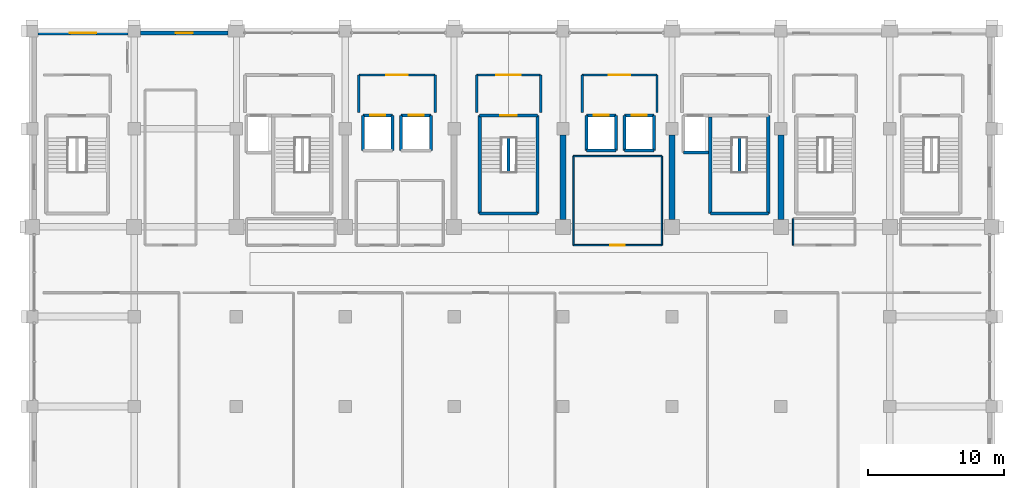
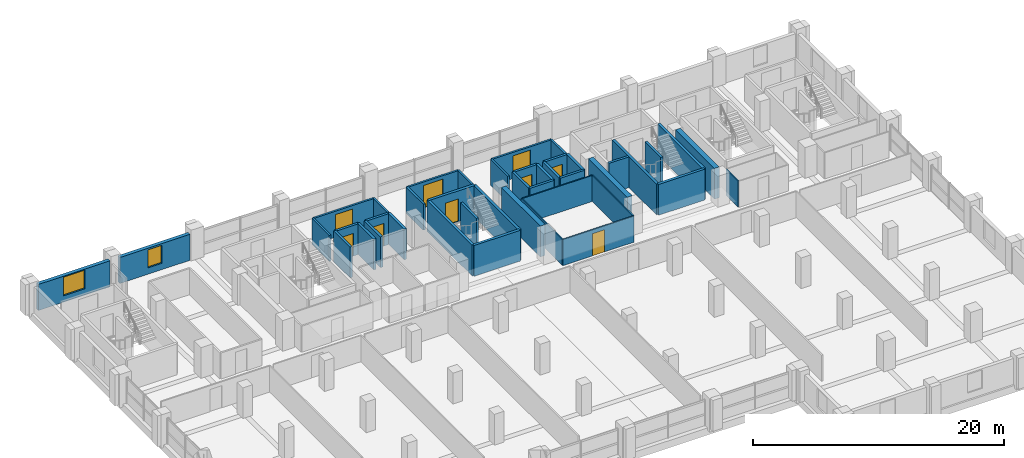
# One storey, part 18 of 21: 43 walls, 9 doors, 2 windows, 11 openings.
"""IFC4 building model written with IfcOpenShell, lengths in metres."""

from ifc_helpers import new_model, si_unit, direction, frame, frame_2d, origin, place, context, subcontext, project, spatial, rectangle, extrude, material, layer, layer_set, type_object, element, fill, save


model = new_model("IFC4")

# Units and contexts
model_context = context("Model", 3, precision=1e-05, world=origin(), true_north=direction((0.0, 1.0)))
body_context = subcontext(model_context, "Body", "Model", "MODEL_VIEW")
ifc_project = project(units=[si_unit("LENGTHUNIT", "METRE"), si_unit("AREAUNIT", "SQUARE_METRE"), si_unit("VOLUMEUNIT", "CUBIC_METRE"), si_unit("PLANEANGLEUNIT", "RADIAN"), si_unit("MASSUNIT", "GRAM", prefix="KILO")], contexts=[model_context])

# Site, building, storey
site_placement = place(None, origin())
site = spatial("IfcSite", under=ifc_project, at=site_placement, CompositionType="ELEMENT")
building_placement = place(site_placement, origin())
building = spatial("IfcBuilding", under=site, at=building_placement, Name="Akrevak Sports Hall", CompositionType="ELEMENT")
storey_placement = place(building_placement, frame((0.0, 0.0, 27.550048828125)))
storey = spatial("IfcBuildingStorey", under=building, at=storey_placement, Name="L05", CompositionType="ELEMENT", Elevation=27.550048828125)

# Wall, opening, window
ifc_material_1 = material(Name="Limestone Ashlar", Category="stone")
ifc_layer_1 = layer(ifc_material_1, 0.070068359375, Name="Limestone Ashlar")
ifc_material_2 = material(Name="Mineral Wool Thermal Insulation", Category="insulation")
ifc_layer_2 = layer(ifc_material_2, 0.090087890625, Name="Mineral Wool Thermal Insulation")
ifc_material_3 = material(Name="Concrete C40/50", Category="concrete")
ifc_layer_3 = layer(ifc_material_3, 0.159912109375, Name="Concrete C40/50")
ifc_layer_set_1 = layer_set([ifc_layer_1, ifc_layer_2, ifc_layer_3], Name="Limestone Ashlar / Mineral Wool Thermal Insulation / Concrete C40/50")
wall_type_1 = type_object("IfcWallType", Name="ARC-WL-EXT-320", PredefinedType="SOLIDWALL", material=ifc_layer_set_1)
wall_1_placement = place(storey_placement, frame((59.39990234375, 69.43994140625, 0.0), z_axis=(0.0, 0.0, 1.0), x_axis=(-1.0, 0.0, 0.0)))
wall_1 = element("IfcWall", 1, at=wall_1_placement, inside=storey, type_object=wall_type_1, Name="Tower Stone Facade Wall L05-N26", PredefinedType="SOLIDWALL", context=body_context, shape_type="SweptSolid", body=[
    extrude(rectangle(XDim=6.449951171875, YDim=0.320068359375, at=frame_2d((3.22509765625, 0.0))), origin(), (0.0, 0.0, 1.0), 2.530029296875),
])
opening_1_placement = place(wall_1_placement, frame((2.60009765625, 0.0, 0.6201171875)))
opening_1 = element("IfcOpeningElement", 2, at=opening_1_placement, cuts=wall_1, Name="Opening WN-20", PredefinedType="OPENING", context=body_context, shape_type="SweptSolid", body=[
    extrude(rectangle(XDim=1.25, YDim=1.75, at=frame_2d((0.625, 0.875))), frame((0.0, 0.171875, 0.0), z_axis=(0.0, -1.0, 0.0), x_axis=(1.0, 0.0, 0.0)), (0.0, 0.0, 1.0), 0.343994140625),
])
ifc_material_4 = material(Name="Thermally Broken Bronze Frame & Double Low-E Glass", Category="glass")
window_type_1 = type_object("IfcWindowType", Name="ARC-WIN-TW-125x175", PartitioningType="SINGLE_PANEL", PredefinedType="WINDOW", material=ifc_material_4)
window_1_placement = place(opening_1_placement, origin())
window_1 = element("IfcWindow", 3, at=window_1_placement, inside=storey, type_object=window_type_1, Name="Tower Window L05-N26", OverallHeight=1.75, OverallWidth=1.25, PartitioningType="SINGLE_PANEL", PredefinedType="WINDOW", context=body_context, shape_type="SweptSolid", body=[
    extrude(rectangle(XDim=1.25, YDim=1.75, at=frame_2d((0.625, 0.875))), frame((0.0, 0.030029296875, 0.0), z_axis=(0.0, -1.0, 0.0), x_axis=(1.0, 0.0, 0.0)), (0.0, 0.0, 1.0), 0.06005859375),
])
fill(opening_1, window_1)

wall_2_placement = place(storey_placement, frame((52.050048828125, 69.43994140625, 0.0), z_axis=(0.0, 0.0, 1.0), x_axis=(-1.0, 0.0, 0.0)))
wall_2 = element("IfcWall", 4, at=wall_2_placement, inside=storey, type_object=wall_type_1, Name="Tower Stone Facade Wall L05-N27", PredefinedType="SOLIDWALL", context=body_context, shape_type="SweptSolid", body=[
    extrude(rectangle(XDim=6.60009765625, YDim=0.320068359375, at=frame_2d((3.300048828125, 0.0))), origin(), (0.0, 0.0, 1.0), 2.530029296875),
])
opening_2_placement = place(wall_2_placement, frame((2.324951171875, 0.0, 0.6201171875)))
opening_2 = element("IfcOpeningElement", 5, at=opening_2_placement, cuts=wall_2, Name="Opening WN-52", PredefinedType="OPENING", context=body_context, shape_type="SweptSolid", body=[
    extrude(rectangle(XDim=1.949951171875, YDim=1.81005859375, at=frame_2d((0.97509765625, 0.905029296875))), frame((0.0, 0.171875, 0.0), z_axis=(0.0, -1.0, 0.0), x_axis=(1.0, 0.0, 0.0)), (0.0, 0.0, 1.0), 0.343994140625),
])
window_type_2 = type_object("IfcWindowType", Name="ARC-WIN-SZ-1950x1810", PartitioningType="SINGLE_PANEL", PredefinedType="WINDOW", material=ifc_material_4)
window_2_placement = place(opening_2_placement, origin())
window_2 = element("IfcWindow", 6, at=window_2_placement, inside=storey, type_object=window_type_2, Name="Tower Window L05-N27", OverallHeight=1.81005859375, OverallWidth=1.949951171875, PartitioningType="SINGLE_PANEL", PredefinedType="WINDOW", context=body_context, shape_type="SweptSolid", body=[
    extrude(rectangle(XDim=1.949951171875, YDim=1.81005859375, at=frame_2d((0.97509765625, 0.905029296875))), frame((0.0, 0.030029296875, 0.0), z_axis=(0.0, -1.0, 0.0), x_axis=(1.0, 0.0, 0.0)), (0.0, 0.0, 1.0), 0.06005859375),
])
fill(opening_2, window_2)

# Wall
ifc_material_5 = material(Name="Sanitary Cubicle Partition", Category="gypsum")
ifc_layer_4 = layer(ifc_material_5, 0.10009765625, Name="Sanitary Cubicle Partition")
ifc_layer_set_2 = layer_set([ifc_layer_4], Name="Sanitary Cubicle Partition")
wall_type_2 = type_object("IfcWallType", Name="ARC-WL-PRT-100", PredefinedType="PARTITIONING", material=ifc_layer_set_2)
wall_3_placement = place(storey_placement, frame((100.89990234375, 53.85009765625, 0.0), z_axis=(0.0, 0.0, 1.0), x_axis=(0.0, 1.0, 0.0)))
element("IfcWall", 7, at=wall_3_placement, inside=storey, type_object=wall_type_2, Name="Interior Partition Federation Research Office L05-E1 (W)", PredefinedType="PARTITIONING", context=body_context, shape_type="SweptSolid", body=[
    extrude(rectangle(XDim=1.949951171875, YDim=0.10009765625, at=frame_2d((0.97509765625, 0.0))), origin(), (0.0, 0.0, 1.0), 2.530029296875),
])

# Wall, opening, door
ifc_material_6 = material(Name="Lightweight Office Partition", Category="gypsum")
ifc_layer_5 = layer(ifc_material_6, 0.110107421875, Name="Lightweight Office Partition")
ifc_layer_set_3 = layer_set([ifc_layer_5], Name="Lightweight Office Partition")
wall_type_3 = type_object("IfcWallType", Name="ARC-WL-PRT-110", PredefinedType="PARTITIONING", material=ifc_layer_set_3)
wall_4_placement = place(storey_placement, frame((84.75, 53.85009765625, 0.0), z_axis=(0.0, 0.0, 1.0), x_axis=(1.0, 0.0, 0.0)))
wall_4 = element("IfcWall", 8, at=wall_4_placement, inside=storey, type_object=wall_type_3, Name="Interior Partition Sports Officiating Office L05-C1 (S)", PredefinedType="PARTITIONING", context=body_context, shape_type="SweptSolid", body=[
    extrude(rectangle(XDim=6.5, YDim=0.110107421875, at=frame_2d((3.25, 0.0))), origin(), (0.0, 0.0, 1.0), 2.530029296875),
])
opening_3_placement = place(wall_4_placement, frame((2.699951171875, 0.0, 0.0)))
opening_3 = element("IfcOpeningElement", 9, at=opening_3_placement, cuts=wall_4, Name="Opening ID-04", PredefinedType="OPENING", context=body_context, shape_type="SweptSolid", body=[
    extrude(rectangle(XDim=1.10009765625, YDim=2.14990234375, at=frame_2d((0.550048828125, 1.074951171875))), frame((0.0, 0.06689453125, 0.0), z_axis=(0.0, -1.0, 0.0), x_axis=(1.0, 0.0, 0.0)), (0.0, 0.0, 1.0), 0.134033203125),
])
ifc_material_7 = material(Name="Hardwood Oak Acoustic Leaf", Category="wood")
door_type_1 = type_object("IfcDoorType", Name="ARC-DR-OFF-110x215", OperationType="NOTDEFINED", PredefinedType="DOOR", material=ifc_material_7)
door_1_placement = place(opening_3_placement, origin())
door_1 = element("IfcDoor", 10, at=door_1_placement, inside=storey, type_object=door_type_1, Name="Door to Sports Officiating Office L05-C1", OperationType="SINGLE_SWING_LEFT", OverallHeight=2.14990234375, OverallWidth=1.10009765625, PredefinedType="DOOR", context=body_context, shape_type="SweptSolid", body=[
    extrude(rectangle(XDim=1.10009765625, YDim=2.14990234375, at=frame_2d((0.550048828125, 1.074951171875))), frame((0.0, 0.02490234375, 0.0), z_axis=(0.0, -1.0, 0.0), x_axis=(1.0, 0.0, 0.0)), (0.0, 0.0, 1.0), 0.050048828125),
])
fill(opening_3, door_1)

# Walls
wall_5_placement = place(storey_placement, frame((84.75, 60.39990234375, 0.0), z_axis=(0.0, 0.0, 1.0), x_axis=(1.0, 0.0, 0.0)))
element("IfcWall", 11, at=wall_5_placement, inside=storey, type_object=wall_type_3, Name="Interior Partition Sports Officiating Office L05-C1 (N)", PredefinedType="PARTITIONING", context=body_context, shape_type="SweptSolid", body=[
    extrude(rectangle(XDim=6.5, YDim=0.110107421875, at=frame_2d((3.25, 0.0))), origin(), (0.0, 0.0, 1.0), 2.530029296875),
])
for number, where, z_axis, x_axis, name in (
    (12, (84.75, 53.85009765625, 0.0), (0.0, 0.0, 1.0), (0.0, 1.0, 0.0), "Interior Partition Sports Officiating Office L05-C1 (W)"),
    (13, (91.25, 53.85009765625, 0.0), (0.0, 0.0, 1.0), (0.0, 1.0, 0.0), "Interior Partition Sports Officiating Office L05-C1 (E)"),
):
    element("IfcWall", number, at=place(storey_placement, frame(where, z_axis=z_axis, x_axis=x_axis)), inside=storey, type_object=wall_type_3, Name=name, PredefinedType="PARTITIONING", context=body_context, shape_type="SweptSolid", body=[
        extrude(rectangle(XDim=6.5498046875, YDim=0.110107421875, at=frame_2d((3.27490234375, 0.0))), origin(), (0.0, 0.0, 1.0), 2.530029296875),
    ])

# Wall, opening, door
ifc_material_8 = material(Name="Autoclaved Aerated Masonry Block", Category="masonry")
ifc_layer_6 = layer(ifc_material_8, 0.179931640625, Name="Autoclaved Aerated Masonry Block")
ifc_layer_set_4 = layer_set([ifc_layer_6], Name="Autoclaved Aerated Masonry Block")
wall_type_4 = type_object("IfcWallType", Name="ARC-WL-PRT-180", PredefinedType="PARTITIONING", material=ifc_layer_set_4)
wall_6_placement = place(storey_placement, frame((69.0, 66.35009765625, 0.0), z_axis=(0.0, 0.0, 1.0), x_axis=(1.0, 0.0, 0.0)))
wall_6 = element("IfcWall", 14, at=wall_6_placement, inside=storey, type_object=wall_type_4, Name="Interior Partition West Passenger Lift Lobby L05 (N)", PredefinedType="PARTITIONING", context=body_context, shape_type="SweptSolid", body=[
    extrude(rectangle(XDim=5.60009765625, YDim=0.179931640625, at=frame_2d((2.800048828125, 0.0))), origin(), (0.0, 0.0, 1.0), 2.530029296875),
])
opening_4_placement = place(wall_6_placement, frame((2.0, 0.0, 0.0)))
opening_4 = element("IfcOpeningElement", 15, at=opening_4_placement, cuts=wall_6, Name="Opening ID-03", PredefinedType="OPENING", context=body_context, shape_type="SweptSolid", body=[
    extrude(rectangle(XDim=1.60009765625, YDim=2.199951171875, at=frame_2d((0.800048828125, 1.10009765625))), frame((0.0, 0.10205078125, 0.0), z_axis=(0.0, -1.0, 0.0), x_axis=(1.0, 0.0, 0.0)), (0.0, 0.0, 1.0), 0.203857421875),
])
ifc_material_9 = material(Name="Hardwood Oak & Safety Glass", Category="wood")
door_type_2 = type_object("IfcDoorType", Name="ARC-DR-HALL-160x220", OperationType="DOUBLE_DOOR_SINGLE_SWING", PredefinedType="DOOR", material=ifc_material_9)
door_2_placement = place(opening_4_placement, origin())
door_2 = element("IfcDoor", 16, at=door_2_placement, inside=storey, type_object=door_type_2, Name="Door to West Passenger Lift Lobby L05", OperationType="DOUBLE_DOOR_SINGLE_SWING", OverallHeight=2.199951171875, OverallWidth=1.60009765625, PredefinedType="DOOR", context=body_context, shape_type="SweptSolid", body=[
    extrude(rectangle(XDim=1.60009765625, YDim=2.199951171875, at=frame_2d((0.800048828125, 1.10009765625))), frame((0.0, 0.02490234375, 0.0), z_axis=(0.0, -1.0, 0.0), x_axis=(1.0, 0.0, 0.0)), (0.0, 0.0, 1.0), 0.050048828125),
])
fill(opening_4, door_2)

# Walls
for number, where, z_axis, x_axis, name in (
    (17, (69.0, 63.60009765625, 0.0), (0.0, 0.0, 1.0), (0.0, 1.0, 0.0), "Interior Partition West Passenger Lift Lobby L05 (W)"),
    (18, (74.60009765625, 63.60009765625, 0.0), (0.0, 0.0, 1.0), (0.0, 1.0, 0.0), "Interior Partition West Passenger Lift Lobby L05 (E)"),
):
    element("IfcWall", number, at=place(storey_placement, frame(where, z_axis=z_axis, x_axis=x_axis)), inside=storey, type_object=wall_type_4, Name=name, PredefinedType="PARTITIONING", context=body_context, shape_type="SweptSolid", body=[
        extrude(rectangle(XDim=2.75, YDim=0.179931640625, at=frame_2d((1.375, 0.0))), origin(), (0.0, 0.0, 1.0), 2.530029296875),
    ])

# Wall, opening, door
wall_7_placement = place(storey_placement, frame((85.39990234375, 66.35009765625, 0.0), z_axis=(0.0, 0.0, 1.0), x_axis=(1.0, 0.0, 0.0)))
wall_7 = element("IfcWall", 19, at=wall_7_placement, inside=storey, type_object=wall_type_4, Name="Interior Partition East Passenger Lift Lobby L05 (N)", PredefinedType="PARTITIONING", context=body_context, shape_type="SweptSolid", body=[
    extrude(rectangle(XDim=5.5, YDim=0.179931640625, at=frame_2d((2.75, 0.0))), origin(), (0.0, 0.0, 1.0), 2.530029296875),
])
opening_5_placement = place(wall_7_placement, frame((1.949951171875, 0.0, 0.0)))
opening_5 = element("IfcOpeningElement", 20, at=opening_5_placement, cuts=wall_7, Name="Opening ID-03", PredefinedType="OPENING", context=body_context, shape_type="SweptSolid", body=[
    extrude(rectangle(XDim=1.60009765625, YDim=2.199951171875, at=frame_2d((0.800048828125, 1.10009765625))), frame((0.0, 0.10205078125, 0.0), z_axis=(0.0, -1.0, 0.0), x_axis=(1.0, 0.0, 0.0)), (0.0, 0.0, 1.0), 0.203857421875),
])
door_3_placement = place(opening_5_placement, origin())
door_3 = element("IfcDoor", 21, at=door_3_placement, inside=storey, type_object=door_type_2, Name="Door to East Passenger Lift Lobby L05", OperationType="DOUBLE_DOOR_SINGLE_SWING", OverallHeight=2.199951171875, OverallWidth=1.60009765625, PredefinedType="DOOR", context=body_context, shape_type="SweptSolid", body=[
    extrude(rectangle(XDim=1.60009765625, YDim=2.199951171875, at=frame_2d((0.800048828125, 1.10009765625))), frame((0.0, 0.02490234375, 0.0), z_axis=(0.0, -1.0, 0.0), x_axis=(1.0, 0.0, 0.0)), (0.0, 0.0, 1.0), 0.050048828125),
])
fill(opening_5, door_3)

# Walls
for number, where, z_axis, x_axis, name in (
    (22, (85.39990234375, 63.60009765625, 0.0), (0.0, 0.0, 1.0), (0.0, 1.0, 0.0), "Interior Partition East Passenger Lift Lobby L05 (W)"),
    (23, (90.89990234375, 63.60009765625, 0.0), (0.0, 0.0, 1.0), (0.0, 1.0, 0.0), "Interior Partition East Passenger Lift Lobby L05 (E)"),
):
    element("IfcWall", number, at=place(storey_placement, frame(where, z_axis=z_axis, x_axis=x_axis)), inside=storey, type_object=wall_type_4, Name=name, PredefinedType="PARTITIONING", context=body_context, shape_type="SweptSolid", body=[
        extrude(rectangle(XDim=2.75, YDim=0.179931640625, at=frame_2d((1.375, 0.0))), origin(), (0.0, 0.0, 1.0), 2.530029296875),
    ])

# Wall, opening, door
wall_8_placement = place(storey_placement, frame((77.64990234375, 66.35009765625, 0.0), z_axis=(0.0, 0.0, 1.0), x_axis=(1.0, 0.0, 0.0)))
wall_8 = element("IfcWall", 24, at=wall_8_placement, inside=storey, type_object=wall_type_4, Name="Interior Partition Central Stair ST3 Vestibule L05 (N)", PredefinedType="PARTITIONING", context=body_context, shape_type="SweptSolid", body=[
    extrude(rectangle(XDim=4.7001953125, YDim=0.179931640625, at=frame_2d((2.35009765625, 0.0))), origin(), (0.0, 0.0, 1.0), 2.530029296875),
])
opening_6_placement = place(wall_8_placement, frame((1.449951171875, 0.0, 0.0)))
opening_6 = element("IfcOpeningElement", 25, at=opening_6_placement, cuts=wall_8, Name="Opening FD-02", PredefinedType="OPENING", context=body_context, shape_type="SweptSolid", body=[
    extrude(rectangle(XDim=1.800048828125, YDim=2.199951171875, at=frame_2d((0.89990234375, 1.10009765625))), frame((0.0, 0.10205078125, 0.0), z_axis=(0.0, -1.0, 0.0), x_axis=(1.0, 0.0, 0.0)), (0.0, 0.0, 1.0), 0.203857421875),
])
ifc_material_10 = material(Name="Fire-Rated Galvanized Door Steel", Category="steel")
door_type_3 = type_object("IfcDoorType", Name="ARC-DR-FIRE-180x220", OperationType="DOUBLE_DOOR_SINGLE_SWING", PredefinedType="DOOR", material=ifc_material_10)
door_4_placement = place(opening_6_placement, frame((1.800048828125, 0.0, 0.0), z_axis=(0.0, 0.0, 1.0), x_axis=(-1.0, 0.0, 0.0)))
door_4 = element("IfcDoor", 26, at=door_4_placement, inside=storey, type_object=door_type_3, Name="Door to Central Stair ST3 Vestibule L05", OperationType="DOUBLE_DOOR_SINGLE_SWING", OverallHeight=2.199951171875, OverallWidth=1.800048828125, PredefinedType="DOOR", context=body_context, shape_type="SweptSolid", body=[
    extrude(rectangle(XDim=1.800048828125, YDim=2.199951171875, at=frame_2d((0.89990234375, 1.10009765625))), frame((0.0, 0.02490234375, 0.0), z_axis=(0.0, -1.0, 0.0), x_axis=(1.0, 0.0, 0.0)), (0.0, 0.0, 1.0), 0.050048828125),
])
fill(opening_6, door_4)

# Walls
for number, where, z_axis, x_axis, name in (
    (27, (77.64990234375, 63.60009765625, 0.0), (0.0, 0.0, 1.0), (0.0, 1.0, 0.0), "Interior Partition Central Stair ST3 Vestibule L05 (W)"),
    (28, (82.35009765625, 63.60009765625, 0.0), (0.0, 0.0, 1.0), (0.0, 1.0, 0.0), "Interior Partition Central Stair ST3 Vestibule L05 (E)"),
):
    element("IfcWall", number, at=place(storey_placement, frame(where, z_axis=z_axis, x_axis=x_axis)), inside=storey, type_object=wall_type_4, Name=name, PredefinedType="PARTITIONING", context=body_context, shape_type="SweptSolid", body=[
        extrude(rectangle(XDim=2.75, YDim=0.179931640625, at=frame_2d((1.375, 0.0))), origin(), (0.0, 0.0, 1.0), 2.530029296875),
    ])
ifc_layer_7 = layer(ifc_material_3, 0.219970703125, Name="Concrete C40/50")
ifc_layer_set_5 = layer_set([ifc_layer_7], Name="Concrete C40/50")
wall_type_5 = type_object("IfcWallType", Name="ARC-WL-PRT-220", PredefinedType="PARTITIONING", material=ifc_layer_set_5)
for number, where, z_axis, x_axis, name in (
    (29, (96.949951171875, 59.215087890625, 0.0), (0.0, 0.0, 1.0), (0.0, 1.0, 0.0), "Stair ST2 Central Spine Wall (L05)"),
    (30, (80.0, 59.215087890625, 0.0), (0.0, 0.0, 1.0), (0.0, 1.0, 0.0), "Stair ST3 Central Spine Wall (L05)"),
):
    element("IfcWall", number, at=place(storey_placement, frame(where, z_axis=z_axis, x_axis=x_axis)), inside=storey, type_object=wall_type_5, Name=name, PredefinedType="PARTITIONING", context=body_context, shape_type="SweptSolid", body=[
        extrude(rectangle(XDim=2.52001953125, YDim=0.219970703125, at=frame_2d((1.260009765625, 0.0))), origin(), (0.0, 0.0, 1.0), 2.989990234375),
    ])
ifc_material_11 = material(Name="Concrete C50/60", Category="concrete")
ifc_layer_8 = layer(ifc_material_11, 0.219970703125, Name="Concrete C50/60")
ifc_layer_set_6 = layer_set([ifc_layer_8], Name="Concrete C50/60")
wall_type_6 = type_object("IfcWallType", Name="ARC-WL-SHAFT-220", PredefinedType="SHEAR", material=ifc_layer_set_6)
wall_9_placement = place(storey_placement, frame((92.860107421875, 60.659912109375, 0.0), z_axis=(0.0, 0.0, 1.0), x_axis=(1.0, 0.0, 0.0)))
element("IfcWall", 31, at=wall_9_placement, inside=storey, type_object=wall_type_6, Name="Lift Shaft LF-FF2 Wall S (L05)", PredefinedType="SHEAR", context=body_context, shape_type="SweptSolid", body=[
    extrude(rectangle(XDim=1.83984375, YDim=0.219970703125, at=frame_2d((0.919921875, 0.0))), origin(), (0.0, 0.0, 1.0), 2.989990234375),
])

# Wall, opening, door
wall_10_placement = place(storey_placement, frame((71.489990234375, 63.389892578125, 0.0), z_axis=(0.0, 0.0, 1.0), x_axis=(-1.0, 0.0, 0.0)))
wall_10 = element("IfcWall", 32, at=wall_10_placement, inside=storey, type_object=wall_type_6, Name="Lift Shaft LF-P1 Wall N (L05)", PredefinedType="SHEAR", context=body_context, shape_type="SweptSolid", body=[
    extrude(rectangle(XDim=2.179931640625, YDim=0.219970703125, at=frame_2d((1.08984375, 0.0))), origin(), (0.0, 0.0, 1.0), 2.989990234375),
])
opening_7_placement = place(wall_10_placement, frame((0.5400390625, 0.0, 0.0)))
opening_7 = element("IfcOpeningElement", 33, at=opening_7_placement, cuts=wall_10, Name="Opening LD-01", PredefinedType="OPENING", context=body_context, shape_type="SweptSolid", body=[
    extrude(rectangle(XDim=1.10009765625, YDim=2.199951171875, at=frame_2d((0.550048828125, 1.10009765625))), frame((0.0, 0.1220703125, 0.0), z_axis=(0.0, -1.0, 0.0), x_axis=(1.0, 0.0, 0.0)), (0.0, 0.0, 1.0), 0.243896484375),
])
ifc_material_12 = material(Name="Brushed Stainless Steel 304", Category="steel")
door_type_4 = type_object("IfcDoorType", Name="ARC-DR-LD-110x220", OperationType="SLIDING_TO_LEFT", PredefinedType="DOOR", material=ifc_material_12)
door_5_placement = place(opening_7_placement, origin())
door_5 = element("IfcDoor", 34, at=door_5_placement, inside=storey, type_object=door_type_4, Name="Lift LF-P1 Sliding Landing Door (L05)", OperationType="SLIDING_TO_RIGHT", OverallHeight=2.199951171875, OverallWidth=1.10009765625, PredefinedType="DOOR", context=body_context, shape_type="SweptSolid", body=[
    extrude(rectangle(XDim=1.10009765625, YDim=2.199951171875, at=frame_2d((0.550048828125, 1.10009765625))), frame((0.0, 0.02490234375, 0.0), z_axis=(0.0, -1.0, 0.0), x_axis=(1.0, 0.0, 0.0)), (0.0, 0.0, 1.0), 0.050048828125),
])
fill(opening_7, door_5)

# Walls
for number, where, z_axis, x_axis, name in (
    (35, (69.31005859375, 63.389892578125, 0.0), (0.0, 0.0, 1.0), (0.0, -1.0, 0.0), "Lift Shaft LF-P1 Wall W (L05)"),
    (36, (71.489990234375, 60.81005859375, 0.0), (0.0, 0.0, 1.0), (0.0, 1.0, 0.0), "Lift Shaft LF-P1 Wall E (L05)"),
):
    element("IfcWall", number, at=place(storey_placement, frame(where, z_axis=z_axis, x_axis=x_axis)), inside=storey, type_object=wall_type_6, Name=name, PredefinedType="SHEAR", context=body_context, shape_type="SweptSolid", body=[
        extrude(rectangle(XDim=2.579833984375, YDim=0.219970703125, at=frame_2d((1.2900390625, 0.0))), origin(), (0.0, 0.0, 1.0), 2.989990234375),
    ])

# Wall, opening, door
wall_11_placement = place(storey_placement, frame((74.2900390625, 63.389892578125, 0.0), z_axis=(0.0, 0.0, 1.0), x_axis=(-1.0, 0.0, 0.0)))
wall_11 = element("IfcWall", 37, at=wall_11_placement, inside=storey, type_object=wall_type_6, Name="Lift Shaft LF-P2 Wall N (L05)", PredefinedType="SHEAR", context=body_context, shape_type="SweptSolid", body=[
    extrude(rectangle(XDim=2.179931640625, YDim=0.219970703125, at=frame_2d((1.08984375, 0.0))), origin(), (0.0, 0.0, 1.0), 2.989990234375),
])
opening_8_placement = place(wall_11_placement, frame((0.5400390625, 0.0, 0.0)))
opening_8 = element("IfcOpeningElement", 38, at=opening_8_placement, cuts=wall_11, Name="Opening LD-01", PredefinedType="OPENING", context=body_context, shape_type="SweptSolid", body=[
    extrude(rectangle(XDim=1.10009765625, YDim=2.199951171875, at=frame_2d((0.550048828125, 1.10009765625))), frame((0.0, 0.1220703125, 0.0), z_axis=(0.0, -1.0, 0.0), x_axis=(1.0, 0.0, 0.0)), (0.0, 0.0, 1.0), 0.243896484375),
])
door_6_placement = place(opening_8_placement, origin())
door_6 = element("IfcDoor", 39, at=door_6_placement, inside=storey, type_object=door_type_4, Name="Lift LF-P2 Sliding Landing Door (L05)", OperationType="SLIDING_TO_RIGHT", OverallHeight=2.199951171875, OverallWidth=1.10009765625, PredefinedType="DOOR", context=body_context, shape_type="SweptSolid", body=[
    extrude(rectangle(XDim=1.10009765625, YDim=2.199951171875, at=frame_2d((0.550048828125, 1.10009765625))), frame((0.0, 0.02490234375, 0.0), z_axis=(0.0, -1.0, 0.0), x_axis=(1.0, 0.0, 0.0)), (0.0, 0.0, 1.0), 0.050048828125),
])
fill(opening_8, door_6)

# Walls
for number, where, z_axis, x_axis, name in (
    (40, (72.110107421875, 63.389892578125, 0.0), (0.0, 0.0, 1.0), (0.0, -1.0, 0.0), "Lift Shaft LF-P2 Wall W (L05)"),
    (41, (74.2900390625, 60.81005859375, 0.0), (0.0, 0.0, 1.0), (0.0, 1.0, 0.0), "Lift Shaft LF-P2 Wall E (L05)"),
):
    element("IfcWall", number, at=place(storey_placement, frame(where, z_axis=z_axis, x_axis=x_axis)), inside=storey, type_object=wall_type_6, Name=name, PredefinedType="SHEAR", context=body_context, shape_type="SweptSolid", body=[
        extrude(rectangle(XDim=2.579833984375, YDim=0.219970703125, at=frame_2d((1.2900390625, 0.0))), origin(), (0.0, 0.0, 1.0), 2.989990234375),
    ])
wall_12_placement = place(storey_placement, frame((85.7099609375, 60.81005859375, 0.0), z_axis=(0.0, 0.0, 1.0), x_axis=(1.0, 0.0, 0.0)))
element("IfcWall", 42, at=wall_12_placement, inside=storey, type_object=wall_type_6, Name="Lift Shaft LF-P3 Wall S (L05)", PredefinedType="SHEAR", context=body_context, shape_type="SweptSolid", body=[
    extrude(rectangle(XDim=2.179931640625, YDim=0.219970703125, at=frame_2d((1.08984375, 0.0))), origin(), (0.0, 0.0, 1.0), 2.989990234375),
])

# Wall, opening, door
wall_13_placement = place(storey_placement, frame((87.889892578125, 63.389892578125, 0.0), z_axis=(0.0, 0.0, 1.0), x_axis=(-1.0, 0.0, 0.0)))
wall_13 = element("IfcWall", 43, at=wall_13_placement, inside=storey, type_object=wall_type_6, Name="Lift Shaft LF-P3 Wall N (L05)", PredefinedType="SHEAR", context=body_context, shape_type="SweptSolid", body=[
    extrude(rectangle(XDim=2.179931640625, YDim=0.219970703125, at=frame_2d((1.08984375, 0.0))), origin(), (0.0, 0.0, 1.0), 2.989990234375),
])
opening_9_placement = place(wall_13_placement, frame((0.5400390625, 0.0, 0.0)))
opening_9 = element("IfcOpeningElement", 44, at=opening_9_placement, cuts=wall_13, Name="Opening LD-01", PredefinedType="OPENING", context=body_context, shape_type="SweptSolid", body=[
    extrude(rectangle(XDim=1.10009765625, YDim=2.199951171875, at=frame_2d((0.550048828125, 1.10009765625))), frame((0.0, 0.1220703125, 0.0), z_axis=(0.0, -1.0, 0.0), x_axis=(1.0, 0.0, 0.0)), (0.0, 0.0, 1.0), 0.243896484375),
])
door_7_placement = place(opening_9_placement, origin())
door_7 = element("IfcDoor", 45, at=door_7_placement, inside=storey, type_object=door_type_4, Name="Lift LF-P3 Sliding Landing Door (L05)", OperationType="SLIDING_TO_RIGHT", OverallHeight=2.199951171875, OverallWidth=1.10009765625, PredefinedType="DOOR", context=body_context, shape_type="SweptSolid", body=[
    extrude(rectangle(XDim=1.10009765625, YDim=2.199951171875, at=frame_2d((0.550048828125, 1.10009765625))), frame((0.0, 0.02490234375, 0.0), z_axis=(0.0, -1.0, 0.0), x_axis=(1.0, 0.0, 0.0)), (0.0, 0.0, 1.0), 0.050048828125),
])
fill(opening_9, door_7)

# Walls
for number, where, z_axis, x_axis, name in (
    (46, (85.7099609375, 63.389892578125, 0.0), (0.0, 0.0, 1.0), (0.0, -1.0, 0.0), "Lift Shaft LF-P3 Wall W (L05)"),
    (47, (87.889892578125, 60.81005859375, 0.0), (0.0, 0.0, 1.0), (0.0, 1.0, 0.0), "Lift Shaft LF-P3 Wall E (L05)"),
):
    element("IfcWall", number, at=place(storey_placement, frame(where, z_axis=z_axis, x_axis=x_axis)), inside=storey, type_object=wall_type_6, Name=name, PredefinedType="SHEAR", context=body_context, shape_type="SweptSolid", body=[
        extrude(rectangle(XDim=2.579833984375, YDim=0.219970703125, at=frame_2d((1.2900390625, 0.0))), origin(), (0.0, 0.0, 1.0), 2.989990234375),
    ])
wall_14_placement = place(storey_placement, frame((88.510009765625, 60.81005859375, 0.0), z_axis=(0.0, 0.0, 1.0), x_axis=(1.0, 0.0, 0.0)))
element("IfcWall", 48, at=wall_14_placement, inside=storey, type_object=wall_type_6, Name="Lift Shaft LF-P4 Wall S (L05)", PredefinedType="SHEAR", context=body_context, shape_type="SweptSolid", body=[
    extrude(rectangle(XDim=2.179931640625, YDim=0.219970703125, at=frame_2d((1.08984375, 0.0))), origin(), (0.0, 0.0, 1.0), 2.989990234375),
])

# Wall, opening, door
wall_15_placement = place(storey_placement, frame((90.68994140625, 63.389892578125, 0.0), z_axis=(0.0, 0.0, 1.0), x_axis=(-1.0, 0.0, 0.0)))
wall_15 = element("IfcWall", 49, at=wall_15_placement, inside=storey, type_object=wall_type_6, Name="Lift Shaft LF-P4 Wall N (L05)", PredefinedType="SHEAR", context=body_context, shape_type="SweptSolid", body=[
    extrude(rectangle(XDim=2.179931640625, YDim=0.219970703125, at=frame_2d((1.08984375, 0.0))), origin(), (0.0, 0.0, 1.0), 2.989990234375),
])
opening_10_placement = place(wall_15_placement, frame((0.5400390625, 0.0, 0.0)))
opening_10 = element("IfcOpeningElement", 50, at=opening_10_placement, cuts=wall_15, Name="Opening LD-01", PredefinedType="OPENING", context=body_context, shape_type="SweptSolid", body=[
    extrude(rectangle(XDim=1.10009765625, YDim=2.199951171875, at=frame_2d((0.550048828125, 1.10009765625))), frame((0.0, 0.1220703125, 0.0), z_axis=(0.0, -1.0, 0.0), x_axis=(1.0, 0.0, 0.0)), (0.0, 0.0, 1.0), 0.243896484375),
])
door_8_placement = place(opening_10_placement, origin())
door_8 = element("IfcDoor", 51, at=door_8_placement, inside=storey, type_object=door_type_4, Name="Lift LF-P4 Sliding Landing Door (L05)", OperationType="SLIDING_TO_RIGHT", OverallHeight=2.199951171875, OverallWidth=1.10009765625, PredefinedType="DOOR", context=body_context, shape_type="SweptSolid", body=[
    extrude(rectangle(XDim=1.10009765625, YDim=2.199951171875, at=frame_2d((0.550048828125, 1.10009765625))), frame((0.0, 0.02490234375, 0.0), z_axis=(0.0, -1.0, 0.0), x_axis=(1.0, 0.0, 0.0)), (0.0, 0.0, 1.0), 0.050048828125),
])
fill(opening_10, door_8)

# Walls
for number, where, z_axis, x_axis, name in (
    (52, (88.510009765625, 63.389892578125, 0.0), (0.0, 0.0, 1.0), (0.0, -1.0, 0.0), "Lift Shaft LF-P4 Wall W (L05)"),
    (53, (90.68994140625, 60.81005859375, 0.0), (0.0, 0.0, 1.0), (0.0, 1.0, 0.0), "Lift Shaft LF-P4 Wall E (L05)"),
):
    element("IfcWall", number, at=place(storey_placement, frame(where, z_axis=z_axis, x_axis=x_axis)), inside=storey, type_object=wall_type_6, Name=name, PredefinedType="SHEAR", context=body_context, shape_type="SweptSolid", body=[
        extrude(rectangle(XDim=2.579833984375, YDim=0.219970703125, at=frame_2d((1.2900390625, 0.0))), origin(), (0.0, 0.0, 1.0), 2.989990234375),
    ])
ifc_layer_9 = layer(ifc_material_11, 0.449951171875, Name="Concrete C50/60")
ifc_layer_set_7 = layer_set([ifc_layer_9], Name="Concrete C50/60")
wall_type_7 = type_object("IfcWallType", Name="STR-WL-CORE-450", PredefinedType="SHEAR", material=ifc_layer_set_7)
for number, where, z_axis, x_axis, name in (
    (54, (84.0, 55.75, 0.0), (0.0, 0.0, 1.0), (0.0, 1.0, 0.0), "Reinforced Concrete Shear Wall SW-C2 (L05)"),
    (55, (92.0, 55.75, 0.0), (0.0, 0.0, 1.0), (0.0, 1.0, 0.0), "Reinforced Concrete Shear Wall SW-E1 (L05)"),
    (56, (100.0, 55.75, 0.0), (0.0, 0.0, 1.0), (0.0, 1.0, 0.0), "Reinforced Concrete Shear Wall SW-E2 (L05)"),
):
    element("IfcWall", number, at=place(storey_placement, frame(where, z_axis=z_axis, x_axis=x_axis)), inside=storey, type_object=wall_type_7, Name=name, PredefinedType="SHEAR", context=body_context, shape_type="SweptSolid", body=[
        extrude(rectangle(XDim=6.199951171875, YDim=0.449951171875, at=frame_2d((3.10009765625, 0.0))), origin(), (0.0, 0.0, 1.0), 2.989990234375),
    ])
ifc_layer_10 = layer(ifc_material_11, 0.25, Name="Concrete C50/60")
ifc_layer_set_8 = layer_set([ifc_layer_10], Name="Concrete C50/60")
wall_type_8 = type_object("IfcWallType", Name="STR-WL-STAIR-250", PredefinedType="SHEAR", material=ifc_layer_set_8)
wall_16_placement = place(storey_placement, frame((94.824951171875, 56.175048828125, 0.0), z_axis=(0.0, 0.0, 1.0), x_axis=(1.0, 0.0, 0.0)))
element("IfcWall", 57, at=wall_16_placement, inside=storey, type_object=wall_type_8, Name="Stair Core ST2 Shear Wall S (L05)", PredefinedType="SHEAR", context=body_context, shape_type="SweptSolid", body=[
    extrude(rectangle(XDim=4.25, YDim=0.25, at=frame_2d((2.125, 0.0))), origin(), (0.0, 0.0, 1.0), 2.989990234375),
])
wall_17_placement = place(storey_placement, frame((94.824951171875, 63.25, 0.0), z_axis=(0.0, 0.0, 1.0), x_axis=(0.0, -1.0, 0.0)))
element("IfcWall", 58, at=wall_17_placement, inside=storey, type_object=wall_type_8, Name="Stair Core ST2 Shear Wall W (L05)", PredefinedType="SHEAR", context=body_context, shape_type="SweptSolid", body=[
    extrude(rectangle(XDim=7.074951171875, YDim=0.25, at=frame_2d((3.53759765625, 0.0))), origin(), (0.0, 0.0, 1.0), 2.989990234375),
])
wall_18_placement = place(storey_placement, frame((99.074951171875, 56.175048828125, 0.0), z_axis=(0.0, 0.0, 1.0), x_axis=(0.0, 1.0, 0.0)))
element("IfcWall", 59, at=wall_18_placement, inside=storey, type_object=wall_type_8, Name="Stair Core ST2 Shear Wall E (L05)", PredefinedType="SHEAR", context=body_context, shape_type="SweptSolid", body=[
    extrude(rectangle(XDim=7.199951171875, YDim=0.25, at=frame_2d((3.60009765625, 0.0))), origin(), (0.0, 0.0, 1.0), 2.989990234375),
])
wall_19_placement = place(storey_placement, frame((77.875, 56.175048828125, 0.0), z_axis=(0.0, 0.0, 1.0), x_axis=(1.0, 0.0, 0.0)))
element("IfcWall", 60, at=wall_19_placement, inside=storey, type_object=wall_type_8, Name="Stair Core ST3 Shear Wall S (L05)", PredefinedType="SHEAR", context=body_context, shape_type="SweptSolid", body=[
    extrude(rectangle(XDim=4.25, YDim=0.25, at=frame_2d((2.125, 0.0))), origin(), (0.0, 0.0, 1.0), 2.989990234375),
])

# Wall, opening, door
wall_20_placement = place(storey_placement, frame((82.125, 63.375, 0.0), z_axis=(0.0, 0.0, 1.0), x_axis=(-1.0, 0.0, 0.0)))
wall_20 = element("IfcWall", 61, at=wall_20_placement, inside=storey, type_object=wall_type_8, Name="Stair Core ST3 Shear Wall N (L05)", PredefinedType="SHEAR", context=body_context, shape_type="SweptSolid", body=[
    extrude(rectangle(XDim=4.25, YDim=0.25, at=frame_2d((2.125, 0.0))), origin(), (0.0, 0.0, 1.0), 2.989990234375),
])
opening_11_placement = place(wall_20_placement, frame((1.52490234375, 0.0, 0.0)))
opening_11 = element("IfcOpeningElement", 62, at=opening_11_placement, cuts=wall_20, Name="Opening SD-02", PredefinedType="OPENING", context=body_context, shape_type="SweptSolid", body=[
    extrude(rectangle(XDim=1.199951171875, YDim=2.199951171875, at=frame_2d((0.60009765625, 1.10009765625))), frame((0.0, 0.136962890625, 0.0), z_axis=(0.0, -1.0, 0.0), x_axis=(1.0, 0.0, 0.0)), (0.0, 0.0, 1.0), 0.27392578125),
])
door_type_5 = type_object("IfcDoorType", Name="ARC-DR-STAIR-120x220", OperationType="NOTDEFINED", PredefinedType="DOOR", material=ifc_material_10)
door_9_placement = place(opening_11_placement, origin())
door_9 = element("IfcDoor", 63, at=door_9_placement, inside=storey, type_object=door_type_5, Name="Exit Stair ST3 Door (L05)", OperationType="SINGLE_SWING_LEFT", OverallHeight=2.199951171875, OverallWidth=1.199951171875, PredefinedType="DOOR", context=body_context, shape_type="SweptSolid", body=[
    extrude(rectangle(XDim=1.199951171875, YDim=2.199951171875, at=frame_2d((0.60009765625, 1.10009765625))), frame((0.0, 0.02490234375, 0.0), z_axis=(0.0, -1.0, 0.0), x_axis=(1.0, 0.0, 0.0)), (0.0, 0.0, 1.0), 0.050048828125),
])
fill(opening_11, door_9)

# Walls
for number, where, z_axis, x_axis, name in (
    (64, (77.875, 63.375, 0.0), (0.0, 0.0, 1.0), (0.0, -1.0, 0.0), "Stair Core ST3 Shear Wall W (L05)"),
    (65, (82.125, 56.175048828125, 0.0), (0.0, 0.0, 1.0), (0.0, 1.0, 0.0), "Stair Core ST3 Shear Wall E (L05)"),
):
    element("IfcWall", number, at=place(storey_placement, frame(where, z_axis=z_axis, x_axis=x_axis)), inside=storey, type_object=wall_type_8, Name=name, PredefinedType="SHEAR", context=body_context, shape_type="SweptSolid", body=[
        extrude(rectangle(XDim=7.199951171875, YDim=0.25, at=frame_2d((3.60009765625, 0.0))), origin(), (0.0, 0.0, 1.0), 2.989990234375),
    ])

save(model, "model.ifc")
